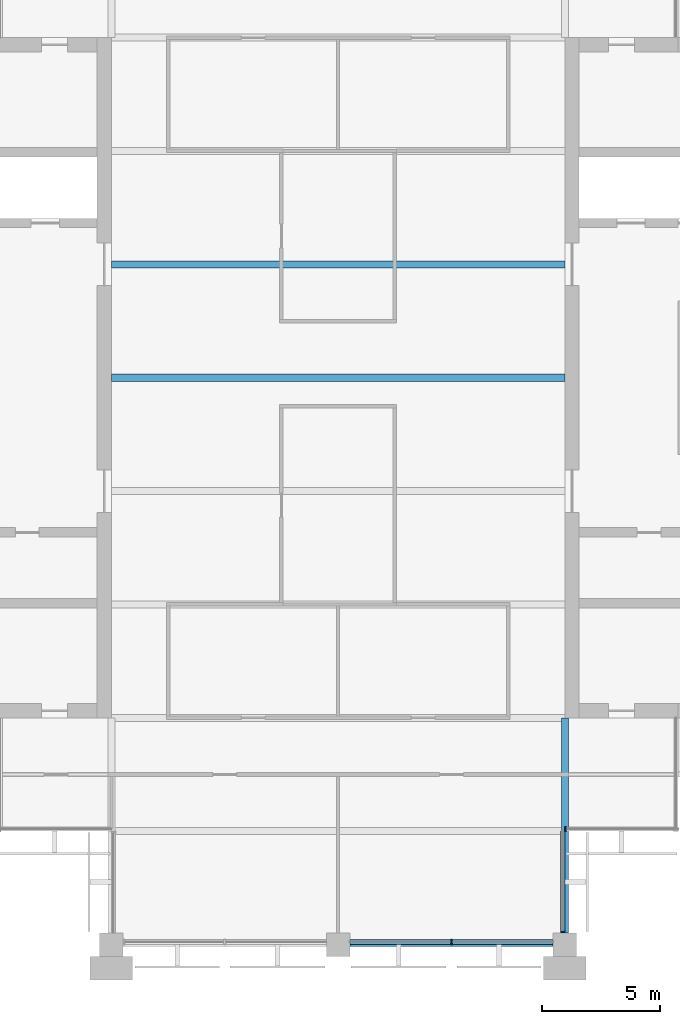
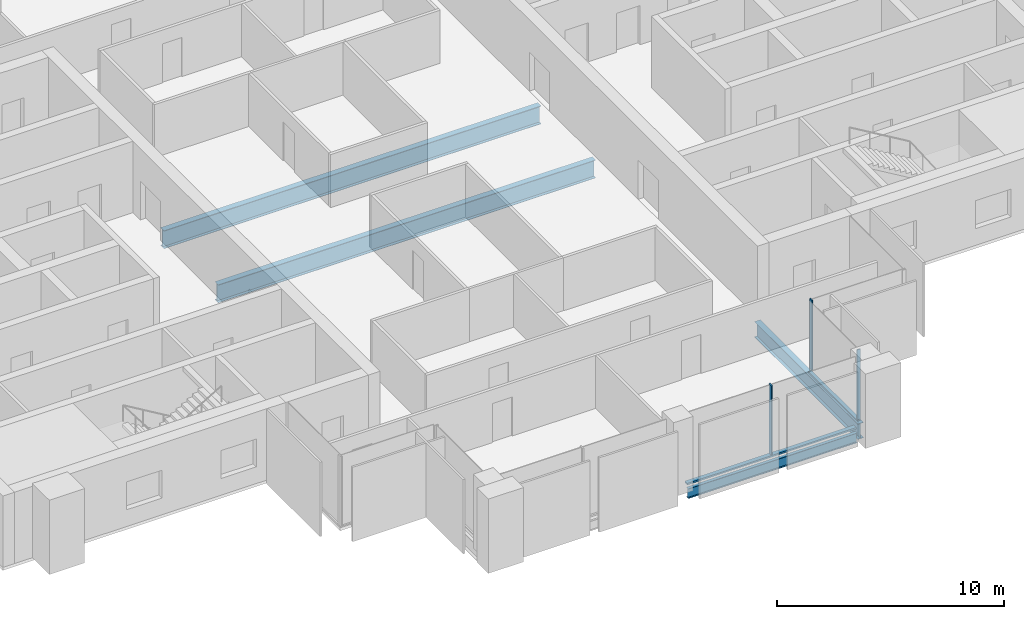
# One storey, part 3 of 12: 5 members, 4 beams, 3 elements without a shape of their own.
"""IFC4 building model written with IfcOpenShell, lengths in metres."""

from ifc_helpers import new_model, si_unit, direction, frame, origin, origin_2d, place, context, subcontext, project, spatial, rectangle, i_section, extrude, material, material_profile, profile_set, type_object, element, aggregate, save


model = new_model("IFC4")

# Units and contexts
model_context = context("Model", 3, precision=1e-05, world=origin(), true_north=direction((0.0, 1.0)))
body_context = subcontext(model_context, "Body", "Model", "MODEL_VIEW")
ifc_project = project(units=[si_unit("LENGTHUNIT", "METRE"), si_unit("AREAUNIT", "SQUARE_METRE"), si_unit("VOLUMEUNIT", "CUBIC_METRE"), si_unit("PLANEANGLEUNIT", "RADIAN"), si_unit("MASSUNIT", "GRAM", prefix="KILO")], contexts=[model_context])

# Site, building, storey
site_placement = place(None, origin())
site = spatial("IfcSite", under=ifc_project, at=site_placement, CompositionType="ELEMENT")
building_placement = place(site_placement, origin())
building = spatial("IfcBuilding", under=site, at=building_placement, Name="Baori Bourse Tower", CompositionType="ELEMENT")
storey_placement = place(building_placement, frame((0.0, 0.0, 298.300048828125)))
storey = spatial("IfcBuildingStorey", under=building, at=storey_placement, Name="L65", CompositionType="ELEMENT", Elevation=298.300048828125)

# Curtain wall, member
ifc_material_1 = material(Name="Pale anodised aluminium", Category="aluminium")
curtain_wall_type_1 = type_object("IfcCurtainWallType", Name="CW2 Curtain wall", PredefinedType="NOTDEFINED", material=ifc_material_1)
curtain_wall_1_placement = place(storey_placement, origin())
curtain_wall_1 = element("IfcCurtainWall", 1, at=curtain_wall_1_placement, inside=storey, type_object=curtain_wall_type_1, Name="Curtain wall CW2 L65 12", PredefinedType="NOTDEFINED")
ifc_material_2 = material(Name="Pale anodised aluminium", Category="aluminium")
ifc_material_profile_1 = material_profile(ifc_material_2, rectangle(XDim=0.179931640625, YDim=0.054931640625, at=origin_2d()), Name="Mullion 55x180")
ifc_profile_set_1 = profile_set([ifc_material_profile_1], Name="Pale anodised aluminium")
member_type_1 = type_object("IfcMemberType", Name="CW2 Curtain wall mullion", PredefinedType="MULLION", material=ifc_profile_set_1)
member_1_placement = place(storey_placement, frame((38.31005859375, 0.527587890625, 0.070068359375), z_axis=(0.0, 0.0, 1.0), x_axis=(-1.0, 0.0, 0.0)))
member_1 = element("IfcMember", 2, at=member_1_placement, type_object=member_type_1, Name="Curtain wall CW2 mullion", PredefinedType="MULLION", context=body_context, shape_type="SweptSolid", body=[
    extrude(rectangle(XDim=0.179931640625, YDim=0.054931640625, at=origin_2d()), origin(), (0.0, 0.0, 1.0), 3.769775390625),
])

curtain_wall_2_placement = place(storey_placement, origin())
curtain_wall_2 = element("IfcCurtainWall", 3, at=curtain_wall_2_placement, inside=storey, type_object=curtain_wall_type_1, Name="Curtain wall CW2 L65 13", PredefinedType="NOTDEFINED")
member_2_placement = place(storey_placement, frame((38.427490234375, 4.889892578125, 0.070068359375), z_axis=(0.0, 0.0, 1.0), x_axis=(0.0, 1.0, 0.0)))
member_2 = element("IfcMember", 4, at=member_2_placement, type_object=member_type_1, Name="Curtain wall CW2 mullion", PredefinedType="MULLION", context=body_context, shape_type="SweptSolid", body=[
    extrude(rectangle(XDim=0.179931640625, YDim=0.054931640625, at=origin_2d()), origin(), (0.0, 0.0, 1.0), 3.769775390625),
])
aggregate(curtain_wall_2, [member_2])

# Member
ifc_material_3 = material(Name="Pale anodised aluminium", Category="aluminium")
ifc_material_profile_2 = material_profile(ifc_material_3, rectangle(XDim=0.179931640625, YDim=0.070068359375, at=origin_2d()), Name="Transom 70x180")
ifc_profile_set_2 = profile_set([ifc_material_profile_2], Name="Pale anodised aluminium")
member_type_2 = type_object("IfcMemberType", Name="CW2 Curtain wall transom", PredefinedType="USERDEFINED", material=ifc_profile_set_2)
member_3_placement = place(storey_placement, frame((38.31005859375, 0.5, 0.034912109375), z_axis=(0.0, 1.0, 0.0), x_axis=(-1.0, 0.0, 0.0)))
member_3 = element("IfcMember", 5, at=member_3_placement, type_object=member_type_2, Name="Curtain wall CW2 sill rail", ObjectType="TRANSOM", PredefinedType="USERDEFINED", context=body_context, shape_type="SweptSolid", body=[
    extrude(rectangle(XDim=0.179931640625, YDim=0.070068359375, at=origin_2d()), origin(), (0.0, 0.0, 1.0), 4.300048828125),
])

aggregate(curtain_wall_1, [member_3, member_1])

# Curtain wall, members
ifc_material_4 = material(Name="Pale anodised aluminium", Category="aluminium")
curtain_wall_type_2 = type_object("IfcCurtainWallType", Name="CW5 Curtain wall", PredefinedType="NOTDEFINED", material=ifc_material_4)
curtain_wall_3_placement = place(storey_placement, origin())
curtain_wall_3 = element("IfcCurtainWall", 6, at=curtain_wall_3_placement, inside=storey, type_object=curtain_wall_type_2, Name="Curtain wall CW5 L65 11", PredefinedType="NOTDEFINED")
ifc_material_5 = material(Name="Pale anodised aluminium", Category="aluminium")
ifc_material_profile_3 = material_profile(ifc_material_5, rectangle(XDim=0.219970703125, YDim=0.06494140625, at=origin_2d()), Name="Mullion 65x220")
ifc_profile_set_3 = profile_set([ifc_material_profile_3], Name="Pale anodised aluminium")
member_type_3 = type_object("IfcMemberType", Name="CW5 Curtain wall mullion", PredefinedType="MULLION", material=ifc_profile_set_3)
member_4_placement = place(storey_placement, frame((33.60009765625, 0.110107421875, 0.0849609375), z_axis=(0.0, 0.0, 1.0), x_axis=(0.0, 1.0, 0.0)))
member_4 = element("IfcMember", 7, at=member_4_placement, type_object=member_type_3, Name="Curtain wall CW5 mullion", PredefinedType="MULLION", context=body_context, shape_type="SweptSolid", body=[
    extrude(rectangle(XDim=0.219970703125, YDim=0.06494140625, at=origin_2d()), origin(), (0.0, 0.0, 1.0), 3.7548828125),
])
ifc_material_6 = material(Name="Pale anodised aluminium", Category="aluminium")
ifc_material_profile_4 = material_profile(ifc_material_6, rectangle(XDim=0.219970703125, YDim=0.0849609375, at=origin_2d()), Name="Transom 85x220")
ifc_profile_set_4 = profile_set([ifc_material_profile_4], Name="Pale anodised aluminium")
member_type_4 = type_object("IfcMemberType", Name="CW5 Curtain wall transom", PredefinedType="USERDEFINED", material=ifc_profile_set_4)
member_5_placement = place(storey_placement, frame((29.300048828125, 0.110107421875, 0.04248046875), z_axis=(1.0, 0.0, 0.0), x_axis=(0.0, 1.0, 0.0)))
member_5 = element("IfcMember", 8, at=member_5_placement, type_object=member_type_4, Name="Curtain wall CW5 sill rail", ObjectType="TRANSOM", PredefinedType="USERDEFINED", context=body_context, shape_type="SweptSolid", body=[
    extrude(rectangle(XDim=0.219970703125, YDim=0.0849609375, at=origin_2d()), origin(), (0.0, 0.0, 1.0), 8.599853515625),
])
aggregate(curtain_wall_3, [member_5, member_4])

# Beams
ifc_material_7 = material(Name="Steel A992 Gr 50", Category="steel")
ifc_material_profile_5 = material_profile(ifc_material_7, i_section(OverallWidth=0.1650390625, OverallDepth=0.52587890625, WebThickness=0.0087890625, FlangeThickness=0.011474609375, at=origin_2d()), Name="W21x44")
ifc_profile_set_5 = profile_set([ifc_material_profile_5], Name="Steel A992 Gr 50")
beam_type_1 = type_object("IfcBeamType", Name="Edge beam W21x44", PredefinedType="BEAM", material=ifc_profile_set_5)
beam_1_placement = place(storey_placement, frame((29.300048828125, 0.0, -0.4228515625), z_axis=(1.0, 0.0, 0.0), x_axis=(0.0, 1.0, 0.0)))
element("IfcBeam", 9, at=beam_1_placement, inside=storey, type_object=beam_type_1, Name="Edge beam L65", PredefinedType="BEAM", context=body_context, shape_type="SweptSolid", body=[
    extrude(i_section(OverallWidth=0.1650390625, OverallDepth=0.52587890625, WebThickness=0.0087890625, FlangeThickness=0.011474609375, at=origin_2d()), origin(), (0.0, 0.0, 1.0), 8.599853515625),
])
ifc_material_8 = material(Name="Steel A992 Gr 50", Category="steel")
ifc_material_profile_6 = material_profile(ifc_material_8, i_section(OverallWidth=0.2998046875, OverallDepth=0.97021484375, WebThickness=0.01611328125, FlangeThickness=0.02099609375, at=origin_2d()), Name="W40x149")
ifc_profile_set_6 = profile_set([ifc_material_profile_6], Name="Steel A992 Gr 50")
beam_type_2 = type_object("IfcBeamType", Name="Floor beam W40x149", PredefinedType="BEAM", material=ifc_profile_set_6)
for number, where, z_axis, x_axis, name in (
    (10, (19.199951171875, 24.0, -0.645263671875), (1.0, 0.0, 0.0), (0.0, 1.0, 0.0), "Floor beam L65"),
    (11, (19.199951171875, 28.800048828125, -0.645263671875), (1.0, 0.0, 0.0), (0.0, 1.0, 0.0), "Floor beam L65"),
):
    element("IfcBeam", number, at=place(storey_placement, frame(where, z_axis=z_axis, x_axis=x_axis)), inside=storey, type_object=beam_type_2, Name=name, PredefinedType="BEAM", context=body_context, shape_type="SweptSolid", body=[
        extrude(i_section(OverallWidth=0.2998046875, OverallDepth=0.97021484375, WebThickness=0.01611328125, FlangeThickness=0.02099609375, at=origin_2d()), origin(), (0.0, 0.0, 1.0), 19.199951171875),
    ])
ifc_material_9 = material(Name="Steel A992 Gr 50", Category="steel")
ifc_material_profile_7 = material_profile(ifc_material_9, i_section(OverallWidth=0.2919921875, OverallDepth=0.835693359375, WebThickness=0.013916015625, FlangeThickness=0.018798828125, at=origin_2d()), Name="W33x118")
ifc_profile_set_7 = profile_set([ifc_material_profile_7], Name="Steel A992 Gr 50")
beam_type_3 = type_object("IfcBeamType", Name="Girder W33x118", PredefinedType="BEAM", material=ifc_profile_set_7)
beam_2_placement = place(storey_placement, frame((38.39990234375, 0.5, -0.577880859375), z_axis=(0.0, 1.0, 0.0), x_axis=(-1.0, 0.0, 0.0)))
element("IfcBeam", 12, at=beam_2_placement, inside=storey, type_object=beam_type_3, Name="Girder L65", PredefinedType="BEAM", context=body_context, shape_type="SweptSolid", body=[
    extrude(i_section(OverallWidth=0.2919921875, OverallDepth=0.835693359375, WebThickness=0.013916015625, FlangeThickness=0.018798828125, at=origin_2d()), origin(), (0.0, 0.0, 1.0), 9.10009765625),
])

save(model, "model.ifc")
